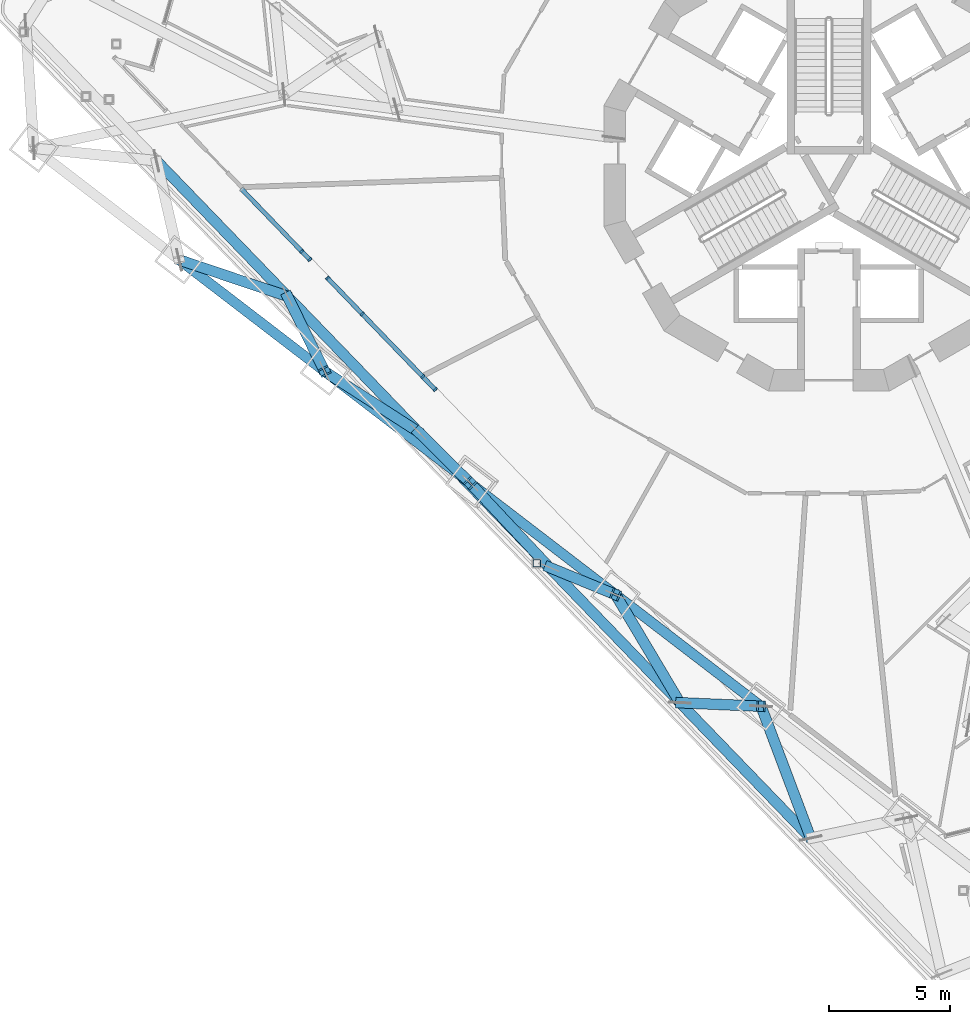
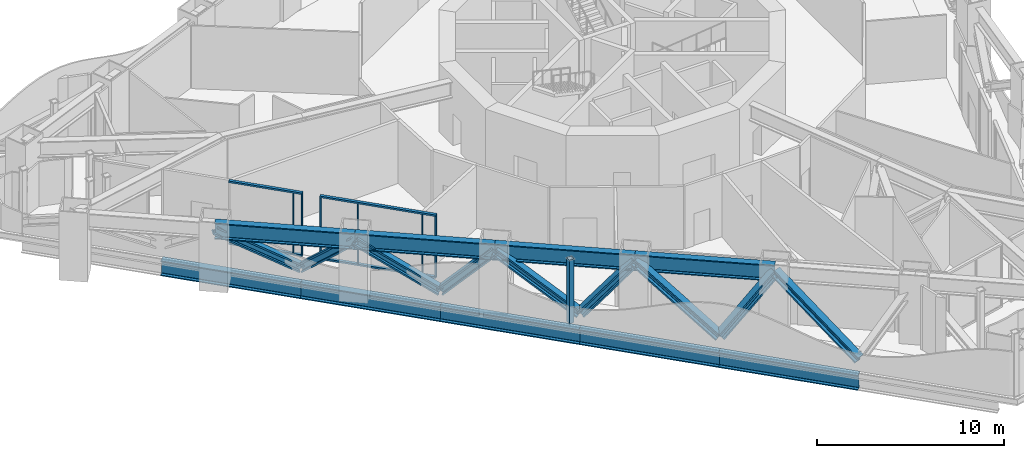
# One storey, part 1 of 26: 29 members, 2 elements without a shape of their own.
"""IFC4 building model written with IfcOpenShell, lengths in metres."""

from ifc_helpers import new_model, si_unit, direction, frame, origin, origin_2d, place, context, subcontext, project, spatial, rectangle, hollow_rectangle, i_section, extrude, material, layer, layer_set, material_profile, profile_set, type_object, element, aggregate, save


model = new_model("IFC4")

# Units and contexts
model_context = context("Model", 3, precision=1e-05, world=origin(), true_north=direction((0.0, 1.0)))
body_context = subcontext(model_context, "Body", "Model", "MODEL_VIEW")
ifc_project = project(units=[si_unit("LENGTHUNIT", "METRE"), si_unit("AREAUNIT", "SQUARE_METRE"), si_unit("VOLUMEUNIT", "CUBIC_METRE"), si_unit("PLANEANGLEUNIT", "RADIAN"), si_unit("MASSUNIT", "GRAM", prefix="KILO")], contexts=[model_context])

# Site, building, storey
site_placement = place(None, origin())
site = spatial("IfcSite", under=ifc_project, at=site_placement, CompositionType="ELEMENT")
building_placement = place(site_placement, origin())
building = spatial("IfcBuilding", under=site, at=building_placement, Name="Trine Commons Tower", CompositionType="ELEMENT")
storey_placement = place(building_placement, frame((0.0, 0.0, 119.699951171875)))
storey = spatial("IfcBuildingStorey", under=building, at=storey_placement, Name="L30", CompositionType="ELEMENT", Elevation=119.699951171875)

# Curtain wall, members
ifc_material_1 = material(Name="Sky lounge glazing: anodised aluminium frame with low-emissivity double glazed unit, solar control", Category="aluminium")
ifc_layer = layer(ifc_material_1, 0.179931640625)
ifc_layer_set = layer_set([ifc_layer], Name="Sky lounge glazing: anodised aluminium frame with low-emissivity double glazed unit, solar control")
curtain_wall_type = type_object("IfcCurtainWallType", Name="Sky lounge glazing curtain wall CW5", PredefinedType="NOTDEFINED", material=ifc_layer_set)
curtain_wall_1_placement = place(storey_placement, origin())
curtain_wall_1 = element("IfcCurtainWall", 1, at=curtain_wall_1_placement, inside=storey, type_object=curtain_wall_type, Name="Sky lounge glazing L30 F3.1", PredefinedType="NOTDEFINED")
ifc_material_2 = material(Name="Anodised aluminium, bronze finish", Category="aluminium")
ifc_material_profile_1 = material_profile(ifc_material_2, rectangle(XDim=0.179931640625, YDim=0.074951171875, at=origin_2d()), Name="Mullion 75x180")
ifc_profile_set_1 = profile_set([ifc_material_profile_1], Name="Anodised aluminium, bronze finish")
member_type_1 = type_object("IfcMemberType", Name="Mullion 75x180, Anodised aluminium, bronze finish", PredefinedType="MULLION", material=ifc_profile_set_1)
member_1_placement = place(storey_placement, frame((63.785400390625, 53.2939453125, 0.110107421875), z_axis=(0.0, 0.0, 1.0), x_axis=(-0.719339800339, -0.694658370459, 0.0)))
member_1 = element("IfcMember", 2, at=member_1_placement, type_object=member_type_1, Name="CW5 mullion 1.1", PredefinedType="MULLION", context=body_context, shape_type="SweptSolid", body=[
    extrude(rectangle(XDim=0.179931640625, YDim=0.074951171875, at=origin_2d()), origin(), (0.0, 0.0, 1.0), 3.929931640625),
])
member_2_placement = place(storey_placement, frame((63.2705078125, 53.8271484375, 0.110107421875), z_axis=(0.0, 0.0, 1.0), x_axis=(-0.719339800339, -0.694658370459, 0.0)))
member_2 = element("IfcMember", 3, at=member_2_placement, type_object=member_type_1, Name="CW5 mullion 2.1", PredefinedType="MULLION", context=body_context, shape_type="SweptSolid", body=[
    extrude(rectangle(XDim=0.179931640625, YDim=0.074951171875, at=origin_2d()), origin(), (0.0, 0.0, 1.0), 3.929931640625),
])
member_3_placement = place(storey_placement, frame((60.77783203125, 56.408203125, 0.110107421875), z_axis=(0.0, 0.0, 1.0), x_axis=(-0.719339800339, -0.694658370459, 0.0)))
member_3 = element("IfcMember", 4, at=member_3_placement, type_object=member_type_1, Name="CW5 mullion 3.1", PredefinedType="MULLION", context=body_context, shape_type="SweptSolid", body=[
    extrude(rectangle(XDim=0.179931640625, YDim=0.074951171875, at=origin_2d()), origin(), (0.0, 0.0, 1.0), 3.929931640625),
])
member_4_placement = place(storey_placement, frame((59.3466796875, 57.890380859375, 0.110107421875), z_axis=(0.0, 0.0, 1.0), x_axis=(-0.719339800339, -0.694658370459, 0.0)))
member_4 = element("IfcMember", 5, at=member_4_placement, type_object=member_type_1, Name="CW5 mullion 4.1", PredefinedType="MULLION", context=body_context, shape_type="SweptSolid", body=[
    extrude(rectangle(XDim=0.179931640625, YDim=0.074951171875, at=origin_2d()), origin(), (0.0, 0.0, 1.0), 3.929931640625),
])

curtain_wall_2_placement = place(storey_placement, origin())
curtain_wall_2 = element("IfcCurtainWall", 6, at=curtain_wall_2_placement, inside=storey, type_object=curtain_wall_type, Name="Sky lounge glazing L30 F3.2", PredefinedType="NOTDEFINED")
member_5_placement = place(storey_placement, frame((58.616455078125, 58.646484375, 0.110107421875), z_axis=(0.0, 0.0, 1.0), x_axis=(-0.719339800339, -0.694658370459, 0.0)))
member_5 = element("IfcMember", 7, at=member_5_placement, type_object=member_type_1, Name="CW5 mullion 1.1", PredefinedType="MULLION", context=body_context, shape_type="SweptSolid", body=[
    extrude(rectangle(XDim=0.179931640625, YDim=0.074951171875, at=origin_2d()), origin(), (0.0, 0.0, 1.0), 3.929931640625),
])
member_6_placement = place(storey_placement, frame((58.285400390625, 58.989501953125, 0.110107421875), z_axis=(0.0, 0.0, 1.0), x_axis=(-0.719339800339, -0.694658370459, 0.0)))
member_6 = element("IfcMember", 8, at=member_6_placement, type_object=member_type_1, Name="CW5 mullion 2.1", PredefinedType="MULLION", context=body_context, shape_type="SweptSolid", body=[
    extrude(rectangle(XDim=0.179931640625, YDim=0.074951171875, at=origin_2d()), origin(), (0.0, 0.0, 1.0), 3.929931640625),
])

# Members
ifc_material_3 = material(Name="Structural steel ASTM A992 Gr50", Category="steel")
ifc_material_profile_2 = material_profile(ifc_material_3, i_section(OverallWidth=0.43798828125, OverallDepth=0.514404296875, WebThickness=0.060546875, FlangeThickness=0.096923828125, FilletRadius=0.015380859375, at=origin_2d()), Name="W14X550")
ifc_profile_set_2 = profile_set([ifc_material_profile_2], Name="Structural steel ASTM A992 Gr50")
member_type_2 = type_object("IfcMemberType", Name="Steel brace W14X550, ASTM A992 Gr50", PredefinedType="BRACE", material=ifc_profile_set_2)
member_7_placement = place(storey_placement, frame((73.86279296875, 40.396728515625, 0.49365234375), z_axis=(0.729302814944, -0.032012196303, 0.68344174836), x_axis=(0.043852020196, 0.999038037476, 0.0)))
element("IfcMember", 9, at=member_7_placement, inside=storey, type_object=member_type_2, Name="Transfer truss brace T3-DG-05", PredefinedType="BRACE", context=body_context, shape_type="SweptSolid", body=[
    extrude(i_section(OverallWidth=0.43798828125, OverallDepth=0.514404296875, WebThickness=0.060546875, FlangeThickness=0.096923828125, FilletRadius=0.015380859375, at=origin_2d()), origin(), (0.0, 0.0, 1.0), 4.58349609375),
])
member_8_placement = place(storey_placement, frame((79.251708984375, 34.81640625, 0.49365234375), z_axis=(-0.310151126373, 0.823615734228, 0.474829865469), x_axis=(-0.935844436077, -0.352413381504, 0.0)))
element("IfcMember", 10, at=member_8_placement, inside=storey, type_object=member_type_2, Name="Transfer truss brace T3-DG-06", PredefinedType="BRACE", context=body_context, shape_type="SweptSolid", body=[
    extrude(i_section(OverallWidth=0.43798828125, OverallDepth=0.514404296875, WebThickness=0.060546875, FlangeThickness=0.096923828125, FilletRadius=0.015380859375, at=origin_2d()), origin(), (0.0, 0.0, 1.0), 6.59716796875),
])
member_9_placement = place(storey_placement, frame((68.473876953125, 45.977294921875, 0.49365234375), z_axis=(0.635402182687, -0.261995839404, 0.726376105315), x_axis=(0.381197177499, 0.924493759777, 0.0)))
element("IfcMember", 11, at=member_9_placement, inside=storey, type_object=member_type_2, Name="Transfer truss brace T3-DG-07", PredefinedType="BRACE", context=body_context, shape_type="SweptSolid", body=[
    extrude(i_section(OverallWidth=0.43798828125, OverallDepth=0.514404296875, WebThickness=0.060546875, FlangeThickness=0.096923828125, FilletRadius=0.015380859375, at=origin_2d()), origin(), (0.0, 0.0, 1.0), 4.3125),
])
member_10_placement = place(storey_placement, frame((73.86279296875, 40.396728515625, 0.49365234375), z_axis=(-0.437591940475, 0.735302891959, 0.517535458405), x_axis=(-0.859338263606, -0.511407615022, 0.0)))
element("IfcMember", 12, at=member_10_placement, inside=storey, type_object=member_type_2, Name="Transfer truss brace T3-DG-08", PredefinedType="BRACE", context=body_context, shape_type="SweptSolid", body=[
    extrude(i_section(OverallWidth=0.43798828125, OverallDepth=0.514404296875, WebThickness=0.060546875, FlangeThickness=0.096923828125, FilletRadius=0.015380859375, at=origin_2d()), origin(), (0.0, 0.0, 1.0), 6.052978515625),
])
member_11_placement = place(storey_placement, frame((63.0849609375, 51.5576171875, 0.49365234375), z_axis=(0.492441621863, -0.486705748227, 0.72153916297), x_axis=(0.702952467863, 0.711236829703, 0.0)))
element("IfcMember", 13, at=member_11_placement, inside=storey, type_object=member_type_2, Name="Transfer truss brace T3-DG-09", PredefinedType="BRACE", context=body_context, shape_type="SweptSolid", body=[
    extrude(i_section(OverallWidth=0.43798828125, OverallDepth=0.514404296875, WebThickness=0.060546875, FlangeThickness=0.096923828125, FilletRadius=0.015380859375, at=origin_2d()), origin(), (0.0, 0.0, 1.0), 4.341552734375),
])
member_12_placement = place(storey_placement, frame((68.473876953125, 45.977294921875, 0.49365234375), z_axis=(-0.571103997817, 0.60910325751, 0.550303048663), x_axis=(-0.729495554929, -0.683985551995, 0.0)))
element("IfcMember", 14, at=member_12_placement, inside=storey, type_object=member_type_2, Name="Transfer truss brace T3-DG-10", PredefinedType="BRACE", context=body_context, shape_type="SweptSolid", body=[
    extrude(i_section(OverallWidth=0.43798828125, OverallDepth=0.514404296875, WebThickness=0.060546875, FlangeThickness=0.096923828125, FilletRadius=0.015380859375, at=origin_2d()), origin(), (0.0, 0.0, 1.0), 5.6923828125),
])
member_13_placement = place(storey_placement, frame((57.696044921875, 57.137939453125, 0.49365234375), z_axis=(0.329184081348, -0.663759474571, 0.671610899631), x_axis=(0.895877788374, 0.444300560767, 0.0)))
element("IfcMember", 15, at=member_13_placement, inside=storey, type_object=member_type_2, Name="Transfer truss brace T3-DG-11", PredefinedType="BRACE", context=body_context, shape_type="SweptSolid", body=[
    extrude(i_section(OverallWidth=0.43798828125, OverallDepth=0.514404296875, WebThickness=0.060546875, FlangeThickness=0.096923828125, FilletRadius=0.015380859375, at=origin_2d()), origin(), (0.0, 0.0, 1.0), 4.664306640625),
])
member_14_placement = place(storey_placement, frame((63.0849609375, 51.5576171875, 0.49365234375), z_axis=(-0.69396466338, 0.447401445423, 0.564132070187), x_axis=(-0.541855161466, -0.840471881739, 0.0)))
element("IfcMember", 16, at=member_14_placement, inside=storey, type_object=member_type_2, Name="Transfer truss brace T3-DG-12", PredefinedType="BRACE", context=body_context, shape_type="SweptSolid", body=[
    extrude(i_section(OverallWidth=0.43798828125, OverallDepth=0.514404296875, WebThickness=0.060546875, FlangeThickness=0.096923828125, FilletRadius=0.015380859375, at=origin_2d()), origin(), (0.0, 0.0, 1.0), 5.552978515625),
])
member_15_placement = place(storey_placement, frame((57.696044921875, 57.137939453125, 0.49365234375), z_axis=(-0.788666130477, 0.265740560072, 0.554425548989), x_axis=(-0.319310163916, -0.94765026208, 0.0)))
element("IfcMember", 17, at=member_15_placement, inside=storey, type_object=member_type_2, Name="Transfer truss brace T3-DG-14", PredefinedType="BRACE", context=body_context, shape_type="SweptSolid", body=[
    extrude(i_section(OverallWidth=0.43798828125, OverallDepth=0.514404296875, WebThickness=0.060546875, FlangeThickness=0.096923828125, FilletRadius=0.015380859375, at=origin_2d()), origin(), (0.0, 0.0, 1.0), 5.650146484375),
])
ifc_material_profile_3 = material_profile(ifc_material_3, i_section(OverallWidth=0.431884765625, OverallDepth=0.9873046875, WebThickness=0.034423828125, FlangeThickness=0.06201171875, FilletRadius=0.024169921875, at=origin_2d()), Name="W36X441")
ifc_profile_set_3 = profile_set([ifc_material_profile_3], Name="Structural steel ASTM A992 Gr50")
member_type_3 = type_object("IfcMemberType", Name="Steel chord W36X441, ASTM A992 Gr50", PredefinedType="CHORD", material=ifc_profile_set_3)
member_16_placement = place(storey_placement, frame((79.251708984375, 34.81640625, -0.943603515625), z_axis=(-0.694662468896, 0.719335842502, 0.0), x_axis=(-0.719335842502, -0.694662468896, 0.0)))
element("IfcMember", 18, at=member_16_placement, inside=storey, type_object=member_type_3, Name="Transfer truss chord T3-LC-02", PredefinedType="CHORD", context=body_context, shape_type="SweptSolid", body=[
    extrude(i_section(OverallWidth=0.431884765625, OverallDepth=0.9873046875, WebThickness=0.034423828125, FlangeThickness=0.06201171875, FilletRadius=0.024169921875, at=origin_2d()), origin(), (0.0, 0.0, 1.0), 7.757568359375),
])
member_17_placement = place(storey_placement, frame((73.86279296875, 40.396728515625, -0.943603515625), z_axis=(-0.694646743095, 0.719351028572, 0.0), x_axis=(-0.719351028572, -0.694646743095, 0.0)))
element("IfcMember", 19, at=member_17_placement, inside=storey, type_object=member_type_3, Name="Transfer truss chord T3-LC-03", PredefinedType="CHORD", context=body_context, shape_type="SweptSolid", body=[
    extrude(i_section(OverallWidth=0.431884765625, OverallDepth=0.9873046875, WebThickness=0.034423828125, FlangeThickness=0.06201171875, FilletRadius=0.024169921875, at=origin_2d()), origin(), (0.0, 0.0, 1.0), 7.7578125),
])
for number, where, z_axis, x_axis, name in (
    (20, (68.473876953125, 45.977294921875, -0.943603515625), (-0.694662468896, 0.719335842502, 0.0), (-0.719335842502, -0.694662468896, 0.0), "Transfer truss chord T3-LC-04"),
    (21, (63.0849609375, 51.5576171875, -0.943603515625), (-0.694662468896, 0.719335842502, 0.0), (-0.719335842502, -0.694662468896, 0.0), "Transfer truss chord T3-LC-05"),
    (22, (57.696044921875, 57.137939453125, -0.943603515625), (-0.694662468896, 0.719335842502, 0.0), (-0.719335842502, -0.694662468896, 0.0), "Transfer truss chord T3-LC-06"),
):
    element("IfcMember", number, at=place(storey_placement, frame(where, z_axis=z_axis, x_axis=x_axis)), inside=storey, type_object=member_type_3, Name=name, PredefinedType="CHORD", context=body_context, shape_type="SweptSolid", body=[
        extrude(i_section(OverallWidth=0.431884765625, OverallDepth=0.9873046875, WebThickness=0.034423828125, FlangeThickness=0.06201171875, FilletRadius=0.024169921875, at=origin_2d()), origin(), (0.0, 0.0, 1.0), 7.757568359375),
    ])
ifc_material_profile_4 = material_profile(ifc_material_3, i_section(OverallWidth=0.412841796875, OverallDepth=1.0478515625, WebThickness=0.033935546875, FlangeThickness=0.059814453125, FilletRadius=0.030029296875, at=origin_2d()), Name="W40X431")
ifc_profile_set_4 = profile_set([ifc_material_profile_4], Name="Structural steel ASTM A992 Gr50")
member_type_4 = type_object("IfcMemberType", Name="Steel chord W40X431, ASTM A992 Gr50", PredefinedType="CHORD", material=ifc_profile_set_4)
member_18_placement = place(storey_placement, frame((77.20556640625, 40.25, 3.626220703125), z_axis=(-0.793352897067, 0.608762006629, 0.0), x_axis=(-0.608762006629, -0.793352897067, 0.0)))
element("IfcMember", 23, at=member_18_placement, inside=storey, type_object=member_type_4, Name="Transfer truss chord T3-UC-03", PredefinedType="CHORD", context=body_context, shape_type="SweptSolid", body=[
    extrude(i_section(OverallWidth=0.412841796875, OverallDepth=1.0478515625, WebThickness=0.033935546875, FlangeThickness=0.059814453125, FilletRadius=0.030029296875, at=origin_2d()), origin(), (0.0, 0.0, 1.0), 7.552001953125),
])
member_19_placement = place(storey_placement, frame((71.214111328125, 44.847412109375, 3.626220703125), z_axis=(-0.793356529938, 0.608757272157, 0.0), x_axis=(-0.608757272157, -0.793356529938, 0.0)))
element("IfcMember", 24, at=member_19_placement, inside=storey, type_object=member_type_4, Name="Transfer truss chord T3-UC-04", PredefinedType="CHORD", context=body_context, shape_type="SweptSolid", body=[
    extrude(i_section(OverallWidth=0.412841796875, OverallDepth=1.0478515625, WebThickness=0.033935546875, FlangeThickness=0.059814453125, FilletRadius=0.030029296875, at=origin_2d()), origin(), (0.0, 0.0, 1.0), 7.5517578125),
])
for number, where, z_axis, x_axis, name in (
    (25, (65.222900390625, 49.444580078125, 3.626220703125), (-0.793352897067, 0.608762006629, 0.0), (-0.608762006629, -0.793352897067, 0.0), "Transfer truss chord T3-UC-05"),
    (26, (59.2314453125, 54.0419921875, 3.626220703125), (-0.793352897067, 0.608762006629, 0.0), (-0.608762006629, -0.793352897067, 0.0), "Transfer truss chord T3-UC-06"),
):
    element("IfcMember", number, at=place(storey_placement, frame(where, z_axis=z_axis, x_axis=x_axis)), inside=storey, type_object=member_type_4, Name=name, PredefinedType="CHORD", context=body_context, shape_type="SweptSolid", body=[
        extrude(i_section(OverallWidth=0.412841796875, OverallDepth=1.0478515625, WebThickness=0.033935546875, FlangeThickness=0.059814453125, FilletRadius=0.030029296875, at=origin_2d()), origin(), (0.0, 0.0, 1.0), 7.552001953125),
    ])
ifc_material_4 = material(Name="Structural steel ASTM A500 Gr C", Category="steel")
ifc_material_profile_5 = material_profile(ifc_material_4, hollow_rectangle(XDim=0.3046875, YDim=0.3046875, WallThickness=0.014892578125, InnerFilletRadius=0.00732421875, OuterFilletRadius=0.022216796875, at=origin_2d()), Name="HSS12X12X5/8")
ifc_profile_set_5 = profile_set([ifc_material_profile_5], Name="Structural steel ASTM A500 Gr C")
member_type_5 = type_object("IfcMemberType", Name="Steel post HSS12X12X5/8, ASTM A500 Gr C", PredefinedType="POST", material=ifc_profile_set_5)
member_20_placement = place(storey_placement, frame((67.96923828125, 46.139892578125, 0.0), z_axis=(0.0, 0.0, 1.0), x_axis=(1.0, 0.0, 0.0)))
element("IfcMember", 27, at=member_20_placement, inside=storey, type_object=member_type_5, Name="Roof post SP3-34", PredefinedType="POST", context=body_context, shape_type="SweptSolid", body=[
    extrude(hollow_rectangle(XDim=0.3046875, YDim=0.3046875, WallThickness=0.014892578125, InnerFilletRadius=0.00732421875, OuterFilletRadius=0.022216796875, at=origin_2d()), origin(), (0.0, 0.0, 1.0), 4.150146484375),
])

# Member
ifc_material_profile_6 = material_profile(ifc_material_2, rectangle(XDim=0.179931640625, YDim=0.110107421875, at=origin_2d()), Name="Transom 110x180")
ifc_profile_set_6 = profile_set([ifc_material_profile_6], Name="Anodised aluminium, bronze finish")
member_type_6 = type_object("IfcMemberType", Name="Transom 110x180, Anodised aluminium, bronze finish", PredefinedType="USERDEFINED", material=ifc_profile_set_6)
member_21_placement = place(storey_placement, frame((63.811279296875, 53.26708984375, 0.054931640625), z_axis=(-0.694649776399, 0.719348099427, 0.0), x_axis=(-0.719348099427, -0.694649776399, 0.0)))
member_21 = element("IfcMember", 28, at=member_21_placement, type_object=member_type_6, Name="CW5 transom T00", ObjectType="TRANSOM", PredefinedType="USERDEFINED", context=body_context, shape_type="SweptSolid", body=[
    extrude(rectangle(XDim=0.179931640625, YDim=0.110107421875, at=origin_2d()), origin(), (0.0, 0.0, 1.0), 6.46484375),
])

member_22_placement = place(storey_placement, frame((63.811279296875, 53.26708984375, 4.094970703125), z_axis=(-0.694649776399, 0.719348099427, 0.0), x_axis=(-0.719348099427, -0.694649776399, 0.0)))
member_22 = element("IfcMember", 29, at=member_22_placement, type_object=member_type_6, Name="CW5 transom TH00", ObjectType="TRANSOM", PredefinedType="USERDEFINED", context=body_context, shape_type="SweptSolid", body=[
    extrude(rectangle(XDim=0.179931640625, YDim=0.110107421875, at=origin_2d()), origin(), (0.0, 0.0, 1.0), 6.46484375),
])

aggregate(curtain_wall_1, [member_21, member_22, member_1, member_2, member_3, member_4])

member_23_placement = place(storey_placement, frame((58.642578125, 58.619384765625, 0.054931640625), z_axis=(-0.694650798114, 0.71934711279, 0.0), x_axis=(-0.71934711279, -0.694650798114, 0.0)))
member_23 = element("IfcMember", 30, at=member_23_placement, type_object=member_type_6, Name="CW5 transom T00", ObjectType="TRANSOM", PredefinedType="USERDEFINED", context=body_context, shape_type="SweptSolid", body=[
    extrude(rectangle(XDim=0.179931640625, YDim=0.110107421875, at=origin_2d()), origin(), (0.0, 0.0, 1.0), 4.1025390625),
])

member_24_placement = place(storey_placement, frame((58.642578125, 58.619384765625, 4.094970703125), z_axis=(-0.694650798114, 0.71934711279, 0.0), x_axis=(-0.71934711279, -0.694650798114, 0.0)))
member_24 = element("IfcMember", 31, at=member_24_placement, type_object=member_type_6, Name="CW5 transom TH00", ObjectType="TRANSOM", PredefinedType="USERDEFINED", context=body_context, shape_type="SweptSolid", body=[
    extrude(rectangle(XDim=0.179931640625, YDim=0.110107421875, at=origin_2d()), origin(), (0.0, 0.0, 1.0), 4.1025390625),
])

aggregate(curtain_wall_2, [member_23, member_24, member_5, member_6])

save(model, "model.ifc")
